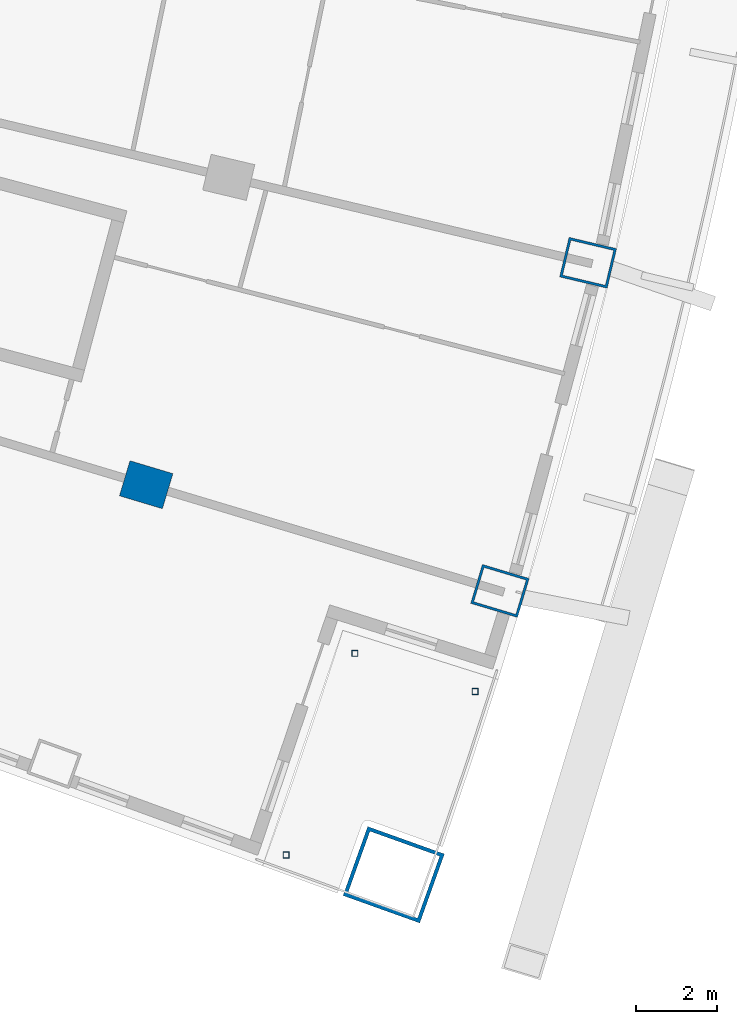
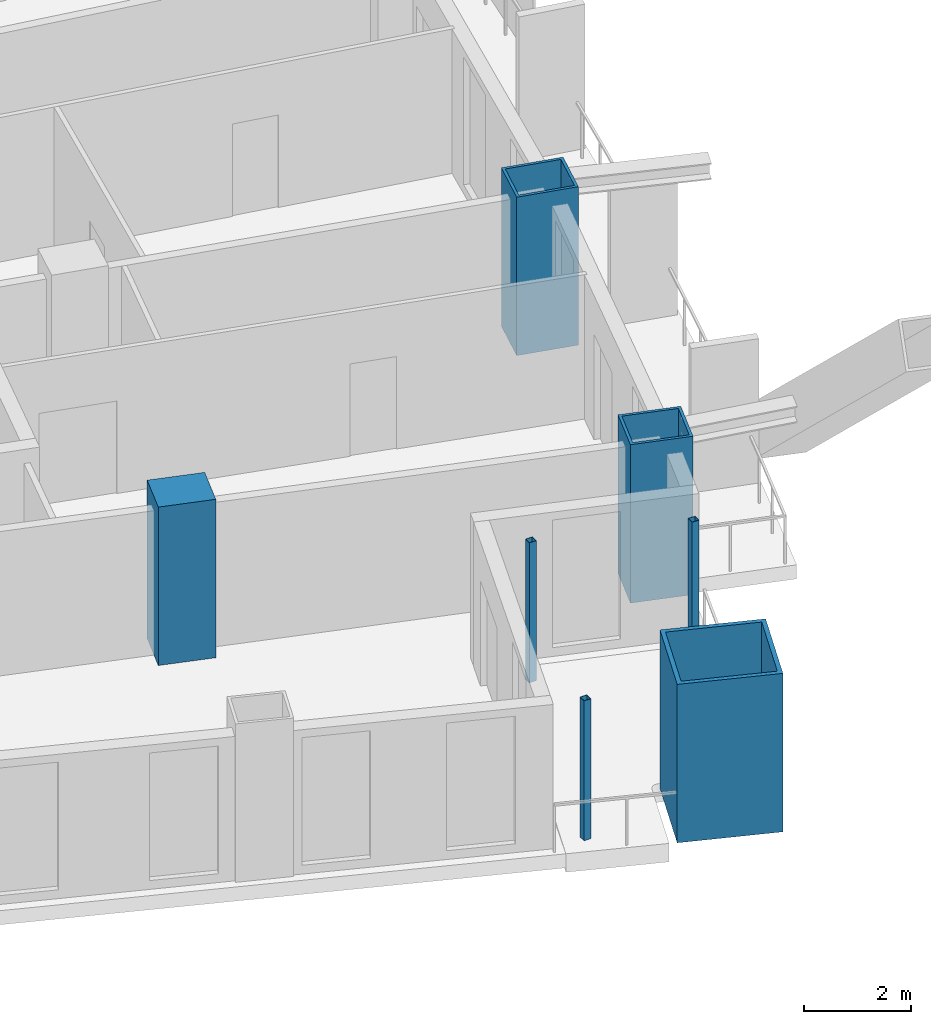
# One storey, part 5 of 25: 7 columns.
"""IFC4 building model written with IfcOpenShell, lengths in metres."""

from ifc_helpers import new_model, si_unit, direction, frame, origin, origin_2d, place, context, subcontext, project, spatial, rectangle, hollow_rectangle, extrude, material, material_profile, profile_set, type_object, element, save


model = new_model("IFC4")

# Units and contexts
model_context = context("Model", 3, precision=1e-05, world=origin(), true_north=direction((0.0, 1.0)))
body_context = subcontext(model_context, "Body", "Model", "MODEL_VIEW")
ifc_project = project(units=[si_unit("LENGTHUNIT", "METRE"), si_unit("AREAUNIT", "SQUARE_METRE"), si_unit("VOLUMEUNIT", "CUBIC_METRE"), si_unit("PLANEANGLEUNIT", "RADIAN"), si_unit("MASSUNIT", "GRAM", prefix="KILO")], contexts=[model_context])

# Site, building, storey
site_placement = place(None, origin())
site = spatial("IfcSite", under=ifc_project, at=site_placement, CompositionType="ELEMENT")
building_placement = place(site_placement, origin())
building = spatial("IfcBuilding", under=site, at=building_placement, Name="Alderwake Tower", CompositionType="ELEMENT")
storey_placement = place(building_placement, frame((0.0, 0.0, 42.800048828125)))
storey = spatial("IfcBuildingStorey", under=building, at=storey_placement, Name="L09", CompositionType="ELEMENT", Elevation=42.800048828125)

# Columns
ifc_material_1 = material(Name="Concrete C70/85", Category="concrete")
ifc_material_profile_1 = material_profile(ifc_material_1, rectangle(XDim=0.89990234375, YDim=1.10009765625, at=origin_2d()), Name="RC 1100X900")
ifc_profile_set_1 = profile_set([ifc_material_profile_1], Name="Concrete C70/85")
column_type_1 = type_object("IfcColumnType", Name="Interior column Z1", PredefinedType="COLUMN", material=ifc_profile_set_1)
column_1_placement = place(storey_placement, frame((48.27685546875, 22.487548828125, 0.0), z_axis=(0.0, 0.0, 1.0), x_axis=(0.287549418125, 0.957765802342, 0.0)))
element("IfcColumn", 1, at=column_1_placement, inside=storey, type_object=column_type_1, Name="Column R02-C4", PredefinedType="COLUMN", context=body_context, shape_type="SweptSolid", body=[
    extrude(rectangle(XDim=0.89990234375, YDim=1.10009765625, at=origin_2d()), origin(), (0.0, 0.0, 1.0), 3.599853515625),
])
ifc_material_2 = material(Name="Steel ASTM A500 Grade C", Category="steel")
ifc_material_profile_2 = material_profile(ifc_material_2, hollow_rectangle(XDim=0.15234375, YDim=0.15234375, WallThickness=0.0087890625, at=origin_2d()), Name="HSS6X6X3/8")
ifc_profile_set_2 = profile_set([ifc_material_profile_2], Name="Steel ASTM A500 Grade C")
column_type_2 = type_object("IfcColumnType", Name="Light post HSS6X6X3/8", PredefinedType="COLUMN", material=ifc_profile_set_2)
for number, where, z_axis, x_axis, name in (
    (2, (56.35302734375, 17.41357421875, 0.0), (0.0, 0.0, 1.0), (1.0, 0.0, 0.0), "Terrace post FS1"),
    (3, (51.712890625, 13.400146484375, 0.0), (0.0, 0.0, 1.0), (1.0, 0.0, 0.0), "Terrace post FS2"),
    (4, (53.397216796875, 18.34814453125, 0.0), (0.0, 0.0, 1.0), (1.0, 0.0, 0.0), "Terrace post FS3"),
):
    element("IfcColumn", number, at=place(storey_placement, frame(where, z_axis=z_axis, x_axis=x_axis)), inside=storey, type_object=column_type_2, Name=name, PredefinedType="COLUMN", context=body_context, shape_type="SweptSolid", body=[
        extrude(hollow_rectangle(XDim=0.15234375, YDim=0.15234375, WallThickness=0.0087890625, at=origin_2d()), origin(), (0.0, 0.0, 1.0), 3.179931640625),
    ])
ifc_material_3 = material(Name="Steel ASTM A572 Grade 50 concrete filled C70/85", Category="concrete")
ifc_material_profile_3 = material_profile(ifc_material_3, hollow_rectangle(XDim=1.800048828125, YDim=2.0, WallThickness=0.090087890625, at=origin_2d()), Name="BOX 2000X1800X90")
ifc_profile_set_3 = profile_set([ifc_material_profile_3], Name="Steel ASTM A572 Grade 50 concrete filled C70/85")
column_type_3 = type_object("IfcColumnType", Name="Mega column Z1", PredefinedType="COLUMN", material=ifc_profile_set_3)
column_2_placement = place(storey_placement, frame((54.353759765625, 12.9130859375, 0.0), z_axis=(0.0, 0.0, 1.0), x_axis=(0.336978590333, 0.941512309881, 0.0)))
element("IfcColumn", 5, at=column_2_placement, inside=storey, type_object=column_type_3, Name="Column R01-C5", PredefinedType="COLUMN", context=body_context, shape_type="SweptSolid", body=[
    extrude(hollow_rectangle(XDim=1.800048828125, YDim=2.0, WallThickness=0.090087890625, at=origin_2d()), origin(), (0.0, 0.0, 1.0), 3.599853515625),
])
ifc_material_4 = material(Name="Steel ASTM A572 Grade 50 concrete filled C70/85", Category="concrete")
ifc_material_profile_4 = material_profile(ifc_material_4, hollow_rectangle(XDim=1.0, YDim=1.199951171875, WallThickness=0.06005859375, at=origin_2d()), Name="BOX 1200X1000X60")
ifc_profile_set_4 = profile_set([ifc_material_profile_4], Name="Steel ASTM A572 Grade 50 concrete filled C70/85")
column_type_4 = type_object("IfcColumnType", Name="Perimeter column Z1", PredefinedType="COLUMN", material=ifc_profile_set_4)
for number, where, z_axis, x_axis, name in (
    (6, (56.96044921875, 19.880615234375, 0.0), (0.0, 0.0, 1.0), (0.287549418125, 0.957765802342, 0.0), "Column R02-C5"),
    (7, (59.125, 27.935302734375, 0.0), (0.0, 0.0, 1.0), (0.231221547198, 0.972901123502, 0.0), "Column R03-C5"),
):
    element("IfcColumn", number, at=place(storey_placement, frame(where, z_axis=z_axis, x_axis=x_axis)), inside=storey, type_object=column_type_4, Name=name, PredefinedType="COLUMN", context=body_context, shape_type="SweptSolid", body=[
        extrude(hollow_rectangle(XDim=1.0, YDim=1.199951171875, WallThickness=0.06005859375, at=origin_2d()), origin(), (0.0, 0.0, 1.0), 3.599853515625),
    ])

save(model, "model.ifc")
